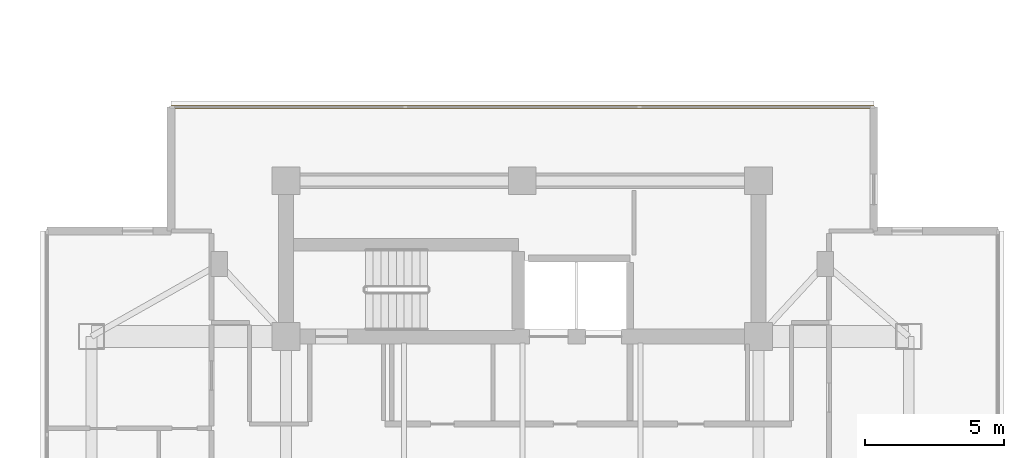
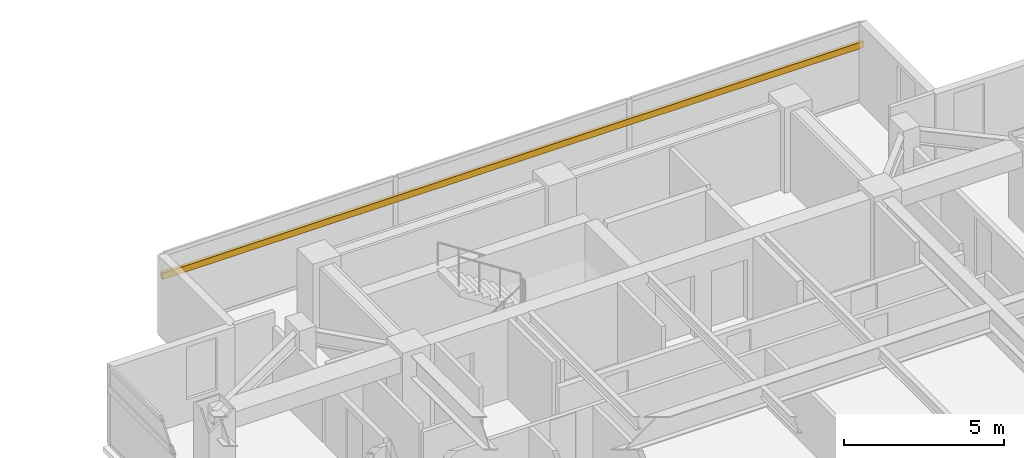
# One storey, part 24 of 24: 1 shading device.
"""IFC4 building model written with IfcOpenShell, lengths in metres."""

from ifc_helpers import new_model, si_unit, direction, frame, origin, origin_2d, place, context, subcontext, project, spatial, rectangle, extrude, material, material_profile, profile_set, type_object, element, save


model = new_model("IFC4")

# Units and contexts
model_context = context("Model", 3, precision=1e-05, world=origin(), true_north=direction((0.0, 1.0)))
body_context = subcontext(model_context, "Body", "Model", "MODEL_VIEW")
ifc_project = project(units=[si_unit("LENGTHUNIT", "METRE"), si_unit("AREAUNIT", "SQUARE_METRE"), si_unit("VOLUMEUNIT", "CUBIC_METRE"), si_unit("PLANEANGLEUNIT", "RADIAN"), si_unit("MASSUNIT", "GRAM", prefix="KILO")], contexts=[model_context])

# Site, building, storey
site_placement = place(None, origin())
site = spatial("IfcSite", under=ifc_project, at=site_placement, CompositionType="ELEMENT")
building_placement = place(site_placement, origin())
building = spatial("IfcBuilding", under=site, at=building_placement, Name="Mirazonda Arch Towers", CompositionType="ELEMENT")
storey_placement = place(building_placement, frame((0.0, 0.0, 160.89990234375)))
storey = spatial("IfcBuildingStorey", under=building, at=storey_placement, Name="L45", CompositionType="ELEMENT", Elevation=160.89990234375)

# Shading device
ifc_material = material(Name="Kiln-Fired Architectural Terracotta", Category="masonry")
ifc_material_profile = material_profile(ifc_material, rectangle(XDim=0.1201171875, YDim=0.239990234375, at=origin_2d()), Name="TERRA-BAG-120x240")
ifc_profile_set = profile_set([ifc_material_profile], Name="Kiln-Fired Architectural Terracotta")
shading_device_type = type_object("IfcShadingDeviceType", Name="BAGUETTE-1", PredefinedType="USERDEFINED", material=ifc_profile_set)
shading_device_placement = place(storey_placement, frame((63.856689453125, 43.4580078125, 2.181640625), z_axis=(1.0, 0.0, 0.0), x_axis=(0.0, 1.0, 0.0)))
element("IfcShadingDevice", 1, at=shading_device_placement, inside=storey, type_object=shading_device_type, Name="L45 Glazed Terracotta Sun-Screen Baguette CW-L45-T2-N", ObjectType="BAGUETTE", PredefinedType="USERDEFINED", context=body_context, shape_type="SweptSolid", body=[
    extrude(rectangle(XDim=0.1201171875, YDim=0.239990234375, at=origin_2d()), origin(), (0.0, 0.0, 1.0), 25.28662109375),
])

save(model, "model.ifc")
